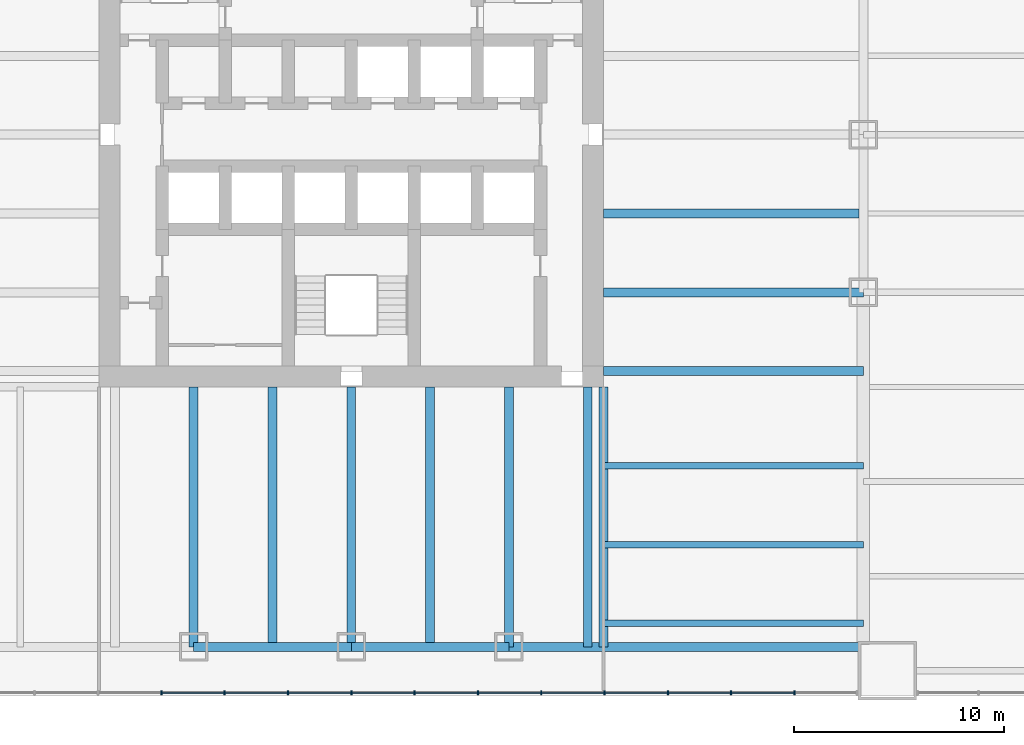
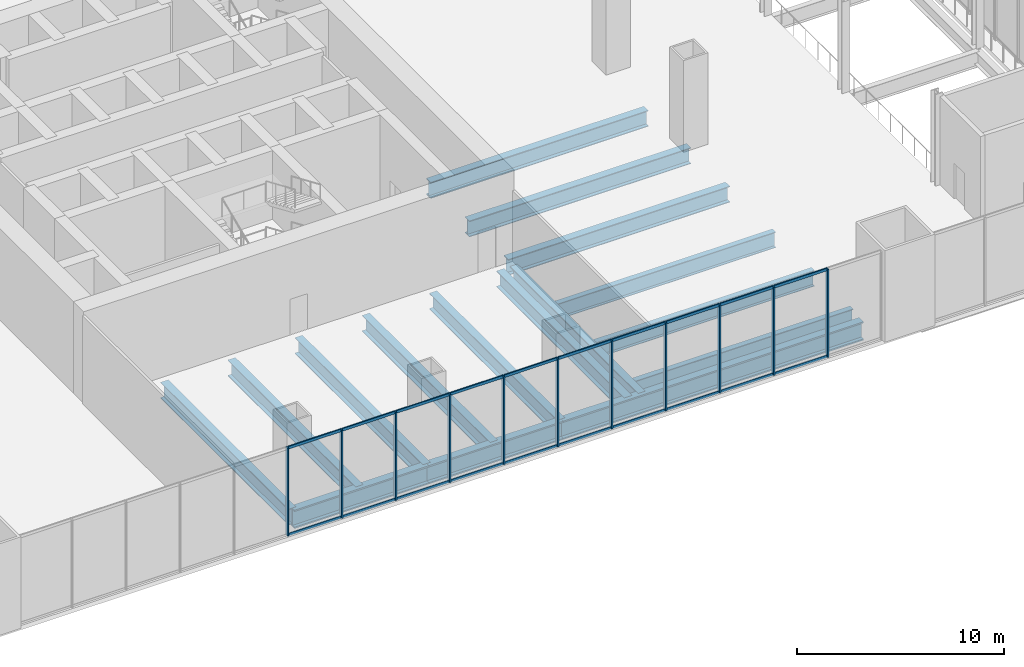
# One storey, part 4 of 17: 31 members, 16 beams, 1 element without a shape of its own.
"""IFC4 building model written with IfcOpenShell, lengths in metres."""

from ifc_helpers import new_model, si_unit, direction, frame, origin, origin_2d, place, context, subcontext, project, spatial, rectangle, i_section, extrude, material, material_profile, profile_set, type_object, element, aggregate, save


model = new_model("IFC4")

# Units and contexts
model_context = context("Model", 3, precision=1e-05, world=origin(), true_north=direction((0.0, 1.0)))
body_context = subcontext(model_context, "Body", "Model", "MODEL_VIEW")
ifc_project = project(units=[si_unit("LENGTHUNIT", "METRE"), si_unit("AREAUNIT", "SQUARE_METRE"), si_unit("VOLUMEUNIT", "CUBIC_METRE"), si_unit("PLANEANGLEUNIT", "RADIAN"), si_unit("MASSUNIT", "GRAM", prefix="KILO")], contexts=[model_context])

# Site, building, storey
site_placement = place(None, origin())
site = spatial("IfcSite", under=ifc_project, at=site_placement, CompositionType="ELEMENT")
building_placement = place(site_placement, origin())
building = spatial("IfcBuilding", under=site, at=building_placement, Name="Tarangal Relay Tower", CompositionType="ELEMENT")
storey_placement = place(building_placement, frame((0.0, 0.0, 18.0)))
storey = spatial("IfcBuildingStorey", under=building, at=storey_placement, Name="L03", CompositionType="ELEMENT", Elevation=18.0)

# Beams
ifc_material_1 = material(Name="Steel ASTM A992", Category="steel")
ifc_material_profile_1 = material_profile(ifc_material_1, i_section(OverallWidth=0.307373046875, OverallDepth=0.927001953125, WebThickness=0.019287109375, FlangeThickness=0.031982421875, at=origin_2d()), Name="W36X194")
ifc_profile_set_1 = profile_set([ifc_material_profile_1], Name="Steel ASTM A992")
beam_type_1 = type_object("IfcBeamType", Name="Corner beam W36X194", PredefinedType="JOIST", material=ifc_profile_set_1)
for number, where, z_axis, x_axis, name in (
    (1, (12.0, -15.75, -0.713623046875), (1.0, 0.0, 0.0), (0.0, 1.0, 0.0), "Corner beam CB10 E L03"),
    (2, (12.0, -19.5, -0.713623046875), (1.0, 0.0, 0.0), (0.0, 1.0, 0.0), "Corner beam CB10 E L03"),
    (3, (12.0, -23.25, -0.713623046875), (1.0, 0.0, 0.0), (0.0, 1.0, 0.0), "Corner beam CB10 E L03"),
):
    element("IfcBeam", number, at=place(storey_placement, frame(where, z_axis=z_axis, x_axis=x_axis)), inside=storey, type_object=beam_type_1, Name=name, PredefinedType="JOIST", context=body_context, shape_type="SweptSolid", body=[
        extrude(i_section(OverallWidth=0.307373046875, OverallDepth=0.927001953125, WebThickness=0.019287109375, FlangeThickness=0.031982421875, at=origin_2d()), origin(), (0.0, 0.0, 1.0), 12.364990234375),
    ])
ifc_material_profile_2 = material_profile(ifc_material_1, i_section(OverallWidth=0.408935546875, OverallDepth=1.04150390625, WebThickness=0.031005859375, FlangeThickness=0.055908203125, at=origin_2d()), Name="W40X397")
ifc_profile_set_2 = profile_set([ifc_material_profile_2], Name="Steel ASTM A992")
beam_type_2 = type_object("IfcBeamType", Name="Corner girder W40X397", PredefinedType="BEAM", material=ifc_profile_set_2)
beam_1_placement = place(storey_placement, frame((12.0, -12.0, -0.770751953125), z_axis=(0.0, -1.0, 0.0), x_axis=(1.0, 0.0, 0.0)))
element("IfcBeam", 4, at=beam_1_placement, inside=storey, type_object=beam_type_2, Name="Corner girder CG1 E L03", PredefinedType="BEAM", context=body_context, shape_type="SweptSolid", body=[
    extrude(i_section(OverallWidth=0.408935546875, OverallDepth=1.04150390625, WebThickness=0.031005859375, FlangeThickness=0.055908203125, at=origin_2d()), origin(), (0.0, 0.0, 1.0), 12.364990234375),
])
ifc_material_profile_3 = material_profile(ifc_material_1, i_section(OverallWidth=0.42431640625, OverallDepth=1.09228515625, WebThickness=0.04541015625, FlangeThickness=0.08203125, at=origin_2d()), Name="W40X593")
ifc_profile_set_3 = profile_set([ifc_material_profile_3], Name="Steel ASTM A992")
beam_type_3 = type_object("IfcBeamType", Name="Edge girder W40X593", PredefinedType="SPANDREL", material=ifc_profile_set_3)
beam_2_placement = place(storey_placement, frame((24.25, -24.364990234375, -0.796142578125), z_axis=(-1.0, 0.0, 0.0), x_axis=(0.0, -1.0, 0.0)))
element("IfcBeam", 5, at=beam_2_placement, inside=storey, type_object=beam_type_3, Name="Edge girder EG9 S L03", PredefinedType="SPANDREL", context=body_context, shape_type="SweptSolid", body=[
    extrude(i_section(OverallWidth=0.42431640625, OverallDepth=1.09228515625, WebThickness=0.04541015625, FlangeThickness=0.08203125, at=origin_2d()), origin(), (0.0, 0.0, 1.0), 16.75),
])
for number, where, z_axis, x_axis, name in (
    (6, (7.5, -24.364990234375, -0.796142578125), (-1.0, 0.0, 0.0), (0.0, -1.0, 0.0), "Edge girder EG9 S L03"),
    (7, (0.0, -24.364990234375, -0.796142578125), (-1.0, 0.0, 0.0), (0.0, -1.0, 0.0), "Edge girder EG9 S L03"),
):
    element("IfcBeam", number, at=place(storey_placement, frame(where, z_axis=z_axis, x_axis=x_axis)), inside=storey, type_object=beam_type_3, Name=name, PredefinedType="SPANDREL", context=body_context, shape_type="SweptSolid", body=[
        extrude(i_section(OverallWidth=0.42431640625, OverallDepth=1.09228515625, WebThickness=0.04541015625, FlangeThickness=0.08203125, at=origin_2d()), origin(), (0.0, 0.0, 1.0), 7.5),
    ])
ifc_material_profile_4 = material_profile(ifc_material_1, i_section(OverallWidth=0.42431640625, OverallDepth=0.947509765625, WebThickness=0.02392578125, FlangeThickness=0.042724609375, at=origin_2d()), Name="W36X302")
ifc_profile_set_4 = profile_set([ifc_material_profile_4], Name="Steel ASTM A992")
beam_type_4 = type_object("IfcBeamType", Name="Floor beam W36X302", PredefinedType="BEAM", material=ifc_profile_set_4)
beam_3_placement = place(storey_placement, frame((12.0, -3.75, -0.7236328125), z_axis=(1.0, 0.0, 0.0), x_axis=(0.0, 1.0, 0.0)))
element("IfcBeam", 8, at=beam_3_placement, inside=storey, type_object=beam_type_4, Name="Floor beam RB10 E L03", PredefinedType="BEAM", context=body_context, shape_type="SweptSolid", body=[
    extrude(i_section(OverallWidth=0.42431640625, OverallDepth=0.947509765625, WebThickness=0.02392578125, FlangeThickness=0.042724609375, at=origin_2d()), origin(), (0.0, 0.0, 1.0), 12.153076171875),
])
for number, where, z_axis, x_axis, name in (
    (9, (12.0, -7.5, -0.7236328125), (1.0, 0.0, 0.0), (0.0, 1.0, 0.0), "Floor beam RB10 E L03"),
    (10, (12.0, -11.25, -0.7236328125), (1.0, 0.0, 0.0), (0.0, 1.0, 0.0), "Floor beam RB10 E L03"),
    (11, (11.25, -12.0, -0.7236328125), (0.0, -1.0, 0.0), (1.0, 0.0, 0.0), "Floor beam RB10 S L03"),
    (12, (7.5, -12.0, -0.7236328125), (0.0, -1.0, 0.0), (1.0, 0.0, 0.0), "Floor beam RB10 S L03"),
    (13, (3.75, -12.0, -0.7236328125), (0.0, -1.0, 0.0), (1.0, 0.0, 0.0), "Floor beam RB10 S L03"),
    (14, (0.0, -12.0, -0.7236328125), (0.0, -1.0, 0.0), (1.0, 0.0, 0.0), "Floor beam RB10 S L03"),
    (15, (-3.75, -12.0, -0.7236328125), (0.0, -1.0, 0.0), (1.0, 0.0, 0.0), "Floor beam RB10 S L03"),
    (16, (-7.5, -12.0, -0.7236328125), (0.0, -1.0, 0.0), (1.0, 0.0, 0.0), "Floor beam RB10 S L03"),
):
    element("IfcBeam", number, at=place(storey_placement, frame(where, z_axis=z_axis, x_axis=x_axis)), inside=storey, type_object=beam_type_4, Name=name, PredefinedType="BEAM", context=body_context, shape_type="SweptSolid", body=[
        extrude(i_section(OverallWidth=0.42431640625, OverallDepth=0.947509765625, WebThickness=0.02392578125, FlangeThickness=0.042724609375, at=origin_2d()), origin(), (0.0, 0.0, 1.0), 12.364990234375),
    ])

# Curtain wall, members
ifc_material_2 = material(Name="Unitised curtain wall, dark glass and black aluminium", Category="aluminium")
curtain_wall_type = type_object("IfcCurtainWallType", Name="Curtain wall CW-P", PredefinedType="USERDEFINED", material=ifc_material_2)
curtain_wall_placement = place(storey_placement, origin())
curtain_wall = element("IfcCurtainWall", 17, at=curtain_wall_placement, inside=storey, type_object=curtain_wall_type, Name="Curtain wall CW-P Podium S facade L03", ObjectType="UNITISED CURTAIN WALL", PredefinedType="USERDEFINED")
ifc_material_3 = material(Name="Black anodised aluminium mullion", Category="aluminium")
ifc_material_profile_5 = material_profile(ifc_material_3, rectangle(XDim=0.199951171875, YDim=0.070068359375, at=origin_2d()), Name="CW-PM 70X200")
ifc_profile_set_5 = profile_set([ifc_material_profile_5], Name="Black anodised aluminium mullion")
member_type_1 = type_object("IfcMemberType", Name="Mullion CW-P 70 x 200", PredefinedType="MULLION", material=ifc_profile_set_5)
member_1_placement = place(storey_placement, frame((-9.03759765625, -26.550048828125, 0.0), z_axis=(0.0, 0.0, 1.0), x_axis=(0.0, 1.0, 0.0)))
member_1 = element("IfcMember", 18, at=member_1_placement, type_object=member_type_1, Name="CW-P mullion 6", PredefinedType="MULLION", context=body_context, shape_type="SweptSolid", body=[
    extrude(rectangle(XDim=0.199951171875, YDim=0.070068359375, at=origin_2d()), origin(), (0.0, 0.0, 1.0), 5.199951171875),
])
member_2_placement = place(storey_placement, frame((-6.02490234375, -26.550048828125, 0.0), z_axis=(0.0, 0.0, 1.0), x_axis=(0.0, 1.0, 0.0)))
member_2 = element("IfcMember", 19, at=member_2_placement, type_object=member_type_1, Name="CW-P mullion 7", PredefinedType="MULLION", context=body_context, shape_type="SweptSolid", body=[
    extrude(rectangle(XDim=0.199951171875, YDim=0.070068359375, at=origin_2d()), origin(), (0.0, 0.0, 1.0), 5.199951171875),
])
member_3_placement = place(storey_placement, frame((-3.012451171875, -26.550048828125, 0.0), z_axis=(0.0, 0.0, 1.0), x_axis=(0.0, 1.0, 0.0)))
member_3 = element("IfcMember", 20, at=member_3_placement, type_object=member_type_1, Name="CW-P mullion 8", PredefinedType="MULLION", context=body_context, shape_type="SweptSolid", body=[
    extrude(rectangle(XDim=0.199951171875, YDim=0.070068359375, at=origin_2d()), origin(), (0.0, 0.0, 1.0), 5.199951171875),
])
member_4_placement = place(storey_placement, frame((0.0, -26.550048828125, 0.0), z_axis=(0.0, 0.0, 1.0), x_axis=(0.0, 1.0, 0.0)))
member_4 = element("IfcMember", 21, at=member_4_placement, type_object=member_type_1, Name="CW-P mullion 9", PredefinedType="MULLION", context=body_context, shape_type="SweptSolid", body=[
    extrude(rectangle(XDim=0.199951171875, YDim=0.070068359375, at=origin_2d()), origin(), (0.0, 0.0, 1.0), 5.199951171875),
])
member_5_placement = place(storey_placement, frame((3.012451171875, -26.550048828125, 0.0), z_axis=(0.0, 0.0, 1.0), x_axis=(0.0, 1.0, 0.0)))
member_5 = element("IfcMember", 22, at=member_5_placement, type_object=member_type_1, Name="CW-P mullion 10", PredefinedType="MULLION", context=body_context, shape_type="SweptSolid", body=[
    extrude(rectangle(XDim=0.199951171875, YDim=0.070068359375, at=origin_2d()), origin(), (0.0, 0.0, 1.0), 5.199951171875),
])
member_6_placement = place(storey_placement, frame((6.02490234375, -26.550048828125, 0.0), z_axis=(0.0, 0.0, 1.0), x_axis=(0.0, 1.0, 0.0)))
member_6 = element("IfcMember", 23, at=member_6_placement, type_object=member_type_1, Name="CW-P mullion 11", PredefinedType="MULLION", context=body_context, shape_type="SweptSolid", body=[
    extrude(rectangle(XDim=0.199951171875, YDim=0.070068359375, at=origin_2d()), origin(), (0.0, 0.0, 1.0), 5.199951171875),
])
member_7_placement = place(storey_placement, frame((9.03759765625, -26.550048828125, 0.0), z_axis=(0.0, 0.0, 1.0), x_axis=(0.0, 1.0, 0.0)))
member_7 = element("IfcMember", 24, at=member_7_placement, type_object=member_type_1, Name="CW-P mullion 12", PredefinedType="MULLION", context=body_context, shape_type="SweptSolid", body=[
    extrude(rectangle(XDim=0.199951171875, YDim=0.070068359375, at=origin_2d()), origin(), (0.0, 0.0, 1.0), 5.199951171875),
])
member_8_placement = place(storey_placement, frame((12.050048828125, -26.550048828125, 0.0), z_axis=(0.0, 0.0, 1.0), x_axis=(0.0, 1.0, 0.0)))
member_8 = element("IfcMember", 25, at=member_8_placement, type_object=member_type_1, Name="CW-P mullion 13", PredefinedType="MULLION", context=body_context, shape_type="SweptSolid", body=[
    extrude(rectangle(XDim=0.199951171875, YDim=0.070068359375, at=origin_2d()), origin(), (0.0, 0.0, 1.0), 5.199951171875),
])
member_9_placement = place(storey_placement, frame((15.0625, -26.550048828125, 0.0), z_axis=(0.0, 0.0, 1.0), x_axis=(0.0, 1.0, 0.0)))
member_9 = element("IfcMember", 26, at=member_9_placement, type_object=member_type_1, Name="CW-P mullion 14", PredefinedType="MULLION", context=body_context, shape_type="SweptSolid", body=[
    extrude(rectangle(XDim=0.199951171875, YDim=0.070068359375, at=origin_2d()), origin(), (0.0, 0.0, 1.0), 5.199951171875),
])
member_10_placement = place(storey_placement, frame((18.074951171875, -26.550048828125, 0.0), z_axis=(0.0, 0.0, 1.0), x_axis=(0.0, 1.0, 0.0)))
member_10 = element("IfcMember", 27, at=member_10_placement, type_object=member_type_1, Name="CW-P mullion 15", PredefinedType="MULLION", context=body_context, shape_type="SweptSolid", body=[
    extrude(rectangle(XDim=0.199951171875, YDim=0.070068359375, at=origin_2d()), origin(), (0.0, 0.0, 1.0), 5.199951171875),
])
member_11_placement = place(storey_placement, frame((21.08740234375, -26.550048828125, 0.0), z_axis=(0.0, 0.0, 1.0), x_axis=(0.0, 1.0, 0.0)))
member_11 = element("IfcMember", 28, at=member_11_placement, type_object=member_type_1, Name="CW-P mullion 16", PredefinedType="MULLION", context=body_context, shape_type="SweptSolid", body=[
    extrude(rectangle(XDim=0.199951171875, YDim=0.070068359375, at=origin_2d()), origin(), (0.0, 0.0, 1.0), 5.199951171875),
])
ifc_material_4 = material(Name="Black anodised aluminium transom", Category="aluminium")
ifc_material_profile_6 = material_profile(ifc_material_4, rectangle(XDim=0.070068359375, YDim=0.159912109375, at=origin_2d()), Name="CW-PT 70X160")
ifc_profile_set_6 = profile_set([ifc_material_profile_6], Name="Black anodised aluminium transom")
member_type_2 = type_object("IfcMemberType", Name="Transom CW-P 70 x 160", PredefinedType="USERDEFINED", material=ifc_profile_set_6)
member_12_placement = place(storey_placement, frame((-9.00244140625, -26.550048828125, 0.034912109375), z_axis=(1.0, 0.0, 0.0), x_axis=(0.0, 1.0, 0.0)))
member_12 = element("IfcMember", 29, at=member_12_placement, type_object=member_type_2, Name="CW-P transom 6.1", ObjectType="TRANSOM", PredefinedType="USERDEFINED", context=body_context, shape_type="SweptSolid", body=[
    extrude(rectangle(XDim=0.070068359375, YDim=0.159912109375, at=origin_2d()), origin(), (0.0, 0.0, 1.0), 2.9423828125),
])
member_13_placement = place(storey_placement, frame((-9.00244140625, -26.550048828125, 5.1650390625), z_axis=(1.0, 0.0, 0.0), x_axis=(0.0, 1.0, 0.0)))
member_13 = element("IfcMember", 30, at=member_13_placement, type_object=member_type_2, Name="CW-P transom 6.2", ObjectType="TRANSOM", PredefinedType="USERDEFINED", context=body_context, shape_type="SweptSolid", body=[
    extrude(rectangle(XDim=0.070068359375, YDim=0.159912109375, at=origin_2d()), origin(), (0.0, 0.0, 1.0), 2.9423828125),
])
member_14_placement = place(storey_placement, frame((-5.989990234375, -26.550048828125, 0.034912109375), z_axis=(1.0, 0.0, 0.0), x_axis=(0.0, 1.0, 0.0)))
member_14 = element("IfcMember", 31, at=member_14_placement, type_object=member_type_2, Name="CW-P transom 7.1", ObjectType="TRANSOM", PredefinedType="USERDEFINED", context=body_context, shape_type="SweptSolid", body=[
    extrude(rectangle(XDim=0.070068359375, YDim=0.159912109375, at=origin_2d()), origin(), (0.0, 0.0, 1.0), 2.9423828125),
])
member_15_placement = place(storey_placement, frame((-5.989990234375, -26.550048828125, 5.1650390625), z_axis=(1.0, 0.0, 0.0), x_axis=(0.0, 1.0, 0.0)))
member_15 = element("IfcMember", 32, at=member_15_placement, type_object=member_type_2, Name="CW-P transom 7.2", ObjectType="TRANSOM", PredefinedType="USERDEFINED", context=body_context, shape_type="SweptSolid", body=[
    extrude(rectangle(XDim=0.070068359375, YDim=0.159912109375, at=origin_2d()), origin(), (0.0, 0.0, 1.0), 2.9423828125),
])
member_16_placement = place(storey_placement, frame((-2.9775390625, -26.550048828125, 0.034912109375), z_axis=(1.0, 0.0, 0.0), x_axis=(0.0, 1.0, 0.0)))
member_16 = element("IfcMember", 33, at=member_16_placement, type_object=member_type_2, Name="CW-P transom 8.1", ObjectType="TRANSOM", PredefinedType="USERDEFINED", context=body_context, shape_type="SweptSolid", body=[
    extrude(rectangle(XDim=0.070068359375, YDim=0.159912109375, at=origin_2d()), origin(), (0.0, 0.0, 1.0), 2.942626953125),
])
member_17_placement = place(storey_placement, frame((-2.9775390625, -26.550048828125, 5.1650390625), z_axis=(1.0, 0.0, 0.0), x_axis=(0.0, 1.0, 0.0)))
member_17 = element("IfcMember", 34, at=member_17_placement, type_object=member_type_2, Name="CW-P transom 8.2", ObjectType="TRANSOM", PredefinedType="USERDEFINED", context=body_context, shape_type="SweptSolid", body=[
    extrude(rectangle(XDim=0.070068359375, YDim=0.159912109375, at=origin_2d()), origin(), (0.0, 0.0, 1.0), 2.942626953125),
])
member_18_placement = place(storey_placement, frame((0.034912109375, -26.550048828125, 0.034912109375), z_axis=(1.0, 0.0, 0.0), x_axis=(0.0, 1.0, 0.0)))
member_18 = element("IfcMember", 35, at=member_18_placement, type_object=member_type_2, Name="CW-P transom 9.1", ObjectType="TRANSOM", PredefinedType="USERDEFINED", context=body_context, shape_type="SweptSolid", body=[
    extrude(rectangle(XDim=0.070068359375, YDim=0.159912109375, at=origin_2d()), origin(), (0.0, 0.0, 1.0), 2.942626953125),
])
member_19_placement = place(storey_placement, frame((0.034912109375, -26.550048828125, 5.1650390625), z_axis=(1.0, 0.0, 0.0), x_axis=(0.0, 1.0, 0.0)))
member_19 = element("IfcMember", 36, at=member_19_placement, type_object=member_type_2, Name="CW-P transom 9.2", ObjectType="TRANSOM", PredefinedType="USERDEFINED", context=body_context, shape_type="SweptSolid", body=[
    extrude(rectangle(XDim=0.070068359375, YDim=0.159912109375, at=origin_2d()), origin(), (0.0, 0.0, 1.0), 2.942626953125),
])
member_20_placement = place(storey_placement, frame((3.047607421875, -26.550048828125, 0.034912109375), z_axis=(1.0, 0.0, 0.0), x_axis=(0.0, 1.0, 0.0)))
member_20 = element("IfcMember", 37, at=member_20_placement, type_object=member_type_2, Name="CW-P transom 10.1", ObjectType="TRANSOM", PredefinedType="USERDEFINED", context=body_context, shape_type="SweptSolid", body=[
    extrude(rectangle(XDim=0.070068359375, YDim=0.159912109375, at=origin_2d()), origin(), (0.0, 0.0, 1.0), 2.9423828125),
])
member_21_placement = place(storey_placement, frame((3.047607421875, -26.550048828125, 5.1650390625), z_axis=(1.0, 0.0, 0.0), x_axis=(0.0, 1.0, 0.0)))
member_21 = element("IfcMember", 38, at=member_21_placement, type_object=member_type_2, Name="CW-P transom 10.2", ObjectType="TRANSOM", PredefinedType="USERDEFINED", context=body_context, shape_type="SweptSolid", body=[
    extrude(rectangle(XDim=0.070068359375, YDim=0.159912109375, at=origin_2d()), origin(), (0.0, 0.0, 1.0), 2.9423828125),
])
member_22_placement = place(storey_placement, frame((6.06005859375, -26.550048828125, 0.034912109375), z_axis=(1.0, 0.0, 0.0), x_axis=(0.0, 1.0, 0.0)))
member_22 = element("IfcMember", 39, at=member_22_placement, type_object=member_type_2, Name="CW-P transom 11.1", ObjectType="TRANSOM", PredefinedType="USERDEFINED", context=body_context, shape_type="SweptSolid", body=[
    extrude(rectangle(XDim=0.070068359375, YDim=0.159912109375, at=origin_2d()), origin(), (0.0, 0.0, 1.0), 2.9423828125),
])
member_23_placement = place(storey_placement, frame((6.06005859375, -26.550048828125, 5.1650390625), z_axis=(1.0, 0.0, 0.0), x_axis=(0.0, 1.0, 0.0)))
member_23 = element("IfcMember", 40, at=member_23_placement, type_object=member_type_2, Name="CW-P transom 11.2", ObjectType="TRANSOM", PredefinedType="USERDEFINED", context=body_context, shape_type="SweptSolid", body=[
    extrude(rectangle(XDim=0.070068359375, YDim=0.159912109375, at=origin_2d()), origin(), (0.0, 0.0, 1.0), 2.9423828125),
])
member_24_placement = place(storey_placement, frame((9.072509765625, -26.550048828125, 0.034912109375), z_axis=(1.0, 0.0, 0.0), x_axis=(0.0, 1.0, 0.0)))
member_24 = element("IfcMember", 41, at=member_24_placement, type_object=member_type_2, Name="CW-P transom 12.1", ObjectType="TRANSOM", PredefinedType="USERDEFINED", context=body_context, shape_type="SweptSolid", body=[
    extrude(rectangle(XDim=0.070068359375, YDim=0.159912109375, at=origin_2d()), origin(), (0.0, 0.0, 1.0), 2.9423828125),
])
member_25_placement = place(storey_placement, frame((9.072509765625, -26.550048828125, 5.1650390625), z_axis=(1.0, 0.0, 0.0), x_axis=(0.0, 1.0, 0.0)))
member_25 = element("IfcMember", 42, at=member_25_placement, type_object=member_type_2, Name="CW-P transom 12.2", ObjectType="TRANSOM", PredefinedType="USERDEFINED", context=body_context, shape_type="SweptSolid", body=[
    extrude(rectangle(XDim=0.070068359375, YDim=0.159912109375, at=origin_2d()), origin(), (0.0, 0.0, 1.0), 2.9423828125),
])
member_26_placement = place(storey_placement, frame((12.0849609375, -26.550048828125, 0.034912109375), z_axis=(1.0, 0.0, 0.0), x_axis=(0.0, 1.0, 0.0)))
member_26 = element("IfcMember", 43, at=member_26_placement, type_object=member_type_2, Name="CW-P transom 13.1", ObjectType="TRANSOM", PredefinedType="USERDEFINED", context=body_context, shape_type="SweptSolid", body=[
    extrude(rectangle(XDim=0.070068359375, YDim=0.159912109375, at=origin_2d()), origin(), (0.0, 0.0, 1.0), 2.942626953125),
])
member_27_placement = place(storey_placement, frame((12.0849609375, -26.550048828125, 5.1650390625), z_axis=(1.0, 0.0, 0.0), x_axis=(0.0, 1.0, 0.0)))
member_27 = element("IfcMember", 44, at=member_27_placement, type_object=member_type_2, Name="CW-P transom 13.2", ObjectType="TRANSOM", PredefinedType="USERDEFINED", context=body_context, shape_type="SweptSolid", body=[
    extrude(rectangle(XDim=0.070068359375, YDim=0.159912109375, at=origin_2d()), origin(), (0.0, 0.0, 1.0), 2.942626953125),
])
member_28_placement = place(storey_placement, frame((15.097412109375, -26.550048828125, 0.034912109375), z_axis=(1.0, 0.0, 0.0), x_axis=(0.0, 1.0, 0.0)))
member_28 = element("IfcMember", 45, at=member_28_placement, type_object=member_type_2, Name="CW-P transom 14.1", ObjectType="TRANSOM", PredefinedType="USERDEFINED", context=body_context, shape_type="SweptSolid", body=[
    extrude(rectangle(XDim=0.070068359375, YDim=0.159912109375, at=origin_2d()), origin(), (0.0, 0.0, 1.0), 2.942626953125),
])
member_29_placement = place(storey_placement, frame((15.097412109375, -26.550048828125, 5.1650390625), z_axis=(1.0, 0.0, 0.0), x_axis=(0.0, 1.0, 0.0)))
member_29 = element("IfcMember", 46, at=member_29_placement, type_object=member_type_2, Name="CW-P transom 14.2", ObjectType="TRANSOM", PredefinedType="USERDEFINED", context=body_context, shape_type="SweptSolid", body=[
    extrude(rectangle(XDim=0.070068359375, YDim=0.159912109375, at=origin_2d()), origin(), (0.0, 0.0, 1.0), 2.942626953125),
])
member_30_placement = place(storey_placement, frame((18.110107421875, -26.550048828125, 0.034912109375), z_axis=(1.0, 0.0, 0.0), x_axis=(0.0, 1.0, 0.0)))
member_30 = element("IfcMember", 47, at=member_30_placement, type_object=member_type_2, Name="CW-P transom 15.1", ObjectType="TRANSOM", PredefinedType="USERDEFINED", context=body_context, shape_type="SweptSolid", body=[
    extrude(rectangle(XDim=0.070068359375, YDim=0.159912109375, at=origin_2d()), origin(), (0.0, 0.0, 1.0), 2.9423828125),
])
member_31_placement = place(storey_placement, frame((18.110107421875, -26.550048828125, 5.1650390625), z_axis=(1.0, 0.0, 0.0), x_axis=(0.0, 1.0, 0.0)))
member_31 = element("IfcMember", 48, at=member_31_placement, type_object=member_type_2, Name="CW-P transom 15.2", ObjectType="TRANSOM", PredefinedType="USERDEFINED", context=body_context, shape_type="SweptSolid", body=[
    extrude(rectangle(XDim=0.070068359375, YDim=0.159912109375, at=origin_2d()), origin(), (0.0, 0.0, 1.0), 2.9423828125),
])
aggregate(curtain_wall, [member_1, member_2, member_3, member_4, member_5, member_6, member_7, member_8, member_9, member_10, member_11, member_12, member_13, member_14, member_15, member_16, member_17, member_18, member_19, member_20, member_21, member_22, member_23, member_24, member_25, member_26, member_27, member_28, member_29, member_30, member_31])

save(model, "model.ifc")
